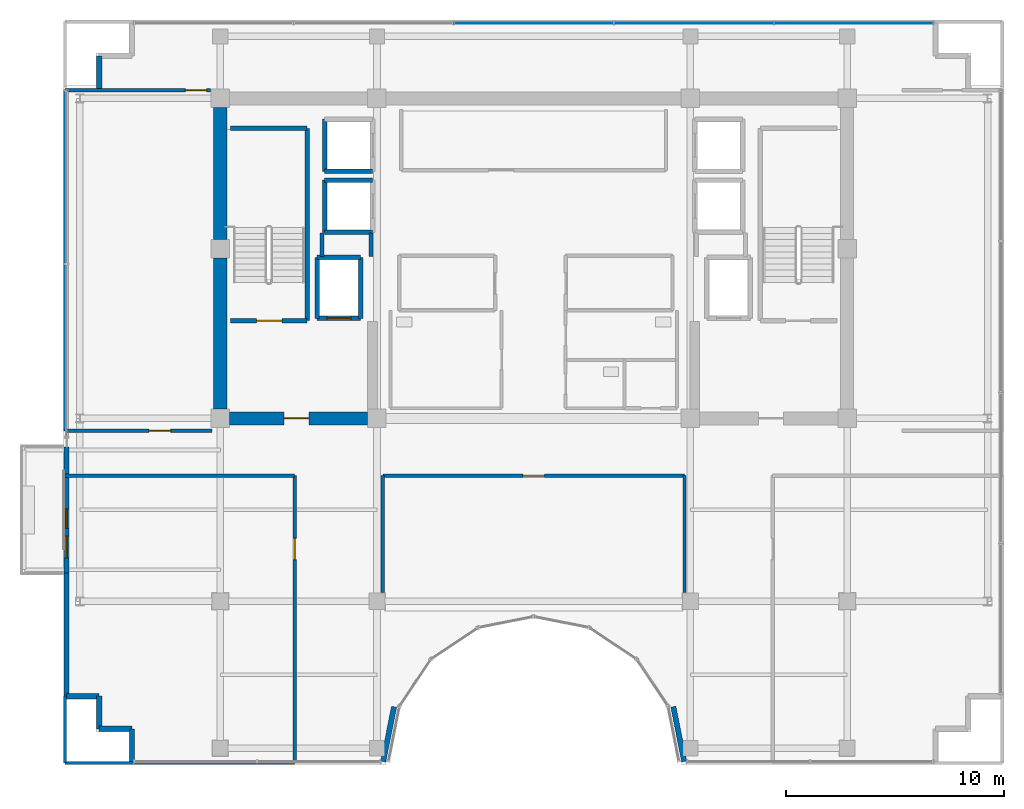
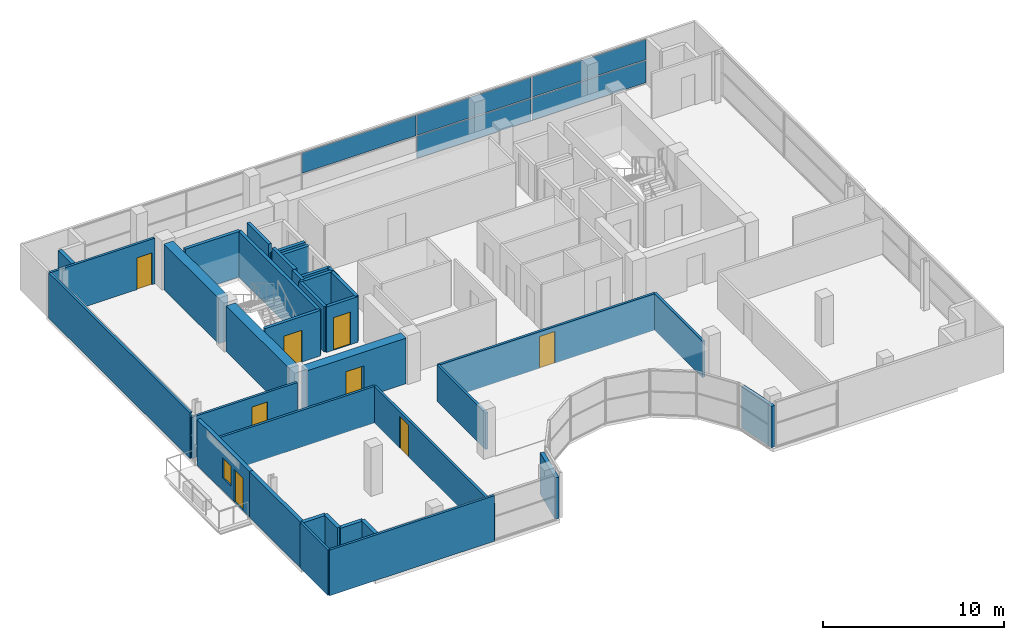
# One storey, part 22 of 28: 36 walls, 8 doors, 5 plates, 1 window, 9 openings, 1 element without a shape of its own.
"""IFC4 building model written with IfcOpenShell, lengths in metres."""

from ifc_helpers import new_model, si_unit, direction, frame, frame_2d, origin, origin_2d, place, context, subcontext, project, spatial, rectangle, extrude, source, transform, mapped, material, layer, layer_set, type_object, element, fill, aggregate, save


model = new_model("IFC4")

# Units and contexts
model_context = context("Model", 3, precision=1e-05, world=origin(), true_north=direction((0.0, 1.0)))
body_context = subcontext(model_context, "Body", "Model", "MODEL_VIEW")
ifc_project = project(units=[si_unit("LENGTHUNIT", "METRE"), si_unit("AREAUNIT", "SQUARE_METRE"), si_unit("VOLUMEUNIT", "CUBIC_METRE"), si_unit("PLANEANGLEUNIT", "RADIAN"), si_unit("MASSUNIT", "GRAM", prefix="KILO")], contexts=[model_context])

# Site, building, storey
site_placement = place(None, origin())
site = spatial("IfcSite", under=ifc_project, at=site_placement, CompositionType="ELEMENT")
building_placement = place(site_placement, origin())
building = spatial("IfcBuilding", under=site, at=building_placement, Name="Zarnakvel Exchange Tower", CompositionType="ELEMENT")
storey_placement = place(building_placement, frame((0.0, 0.0, 268.300048828125)))
storey = spatial("IfcBuildingStorey", under=building, at=storey_placement, Name="L76", CompositionType="ELEMENT", Elevation=268.300048828125)

# Curtain wall, plates
ifc_material_1 = material(Name="Architectural Bronze Anodised Aluminium", Category="aluminium")
ifc_layer_1 = layer(ifc_material_1, 0.159912109375)
ifc_layer_set_1 = layer_set([ifc_layer_1], Name="Architectural Bronze Anodised Aluminium")
curtain_wall_type = type_object("IfcCurtainWallType", Name="CW-06", PredefinedType="NOTDEFINED", material=ifc_layer_set_1)
curtain_wall_placement = place(storey_placement, origin())
curtain_wall = element("IfcCurtainWall", 1, at=curtain_wall_placement, inside=storey, type_object=curtain_wall_type, Name="L76 Curtain Wall CW-L76-N1 (CW-06)", PredefinedType="NOTDEFINED")
ifc_material_2 = material(Name="Double Low-E Laminated Vision Glass", Category="glass")
ifc_layer_2 = layer(ifc_material_2, 0.033935546875)
ifc_layer_set_2 = layer_set([ifc_layer_2], Name="Double Low-E Laminated Vision Glass")
plate_type = type_object("IfcPlateType", Name="CWP-06", PredefinedType="CURTAIN_PANEL", material=ifc_layer_set_2)
shared_shape_1 = source(origin(), body_context, "Body", "SweptSolid", [
    extrude(rectangle(XDim=7.262451171875, YDim=0.033935546875, at=origin_2d()), origin(), (0.0, 0.0, 1.0), 1.49365234375),
])
plate_1_placement = place(storey_placement, frame((14.703857421875, 16.9599609375, 0.06494140625), z_axis=(0.0, 0.0, 1.0), x_axis=(1.0, 0.0, 0.0)))
plate_1 = element("IfcPlate", 2, at=plate_1_placement, type_object=plate_type, Name="CW-06 panel 5.1", PredefinedType="CURTAIN_PANEL", context=body_context, shape_type="MappedRepresentation", body=[
    mapped(shared_shape_1, transform((0.0, 0.0, 0.0), x_axis=(1.0, 0.0, 0.0), y_axis=(0.0, 1.0, 0.0), z_axis=(0.0, 0.0, 1.0), scale=1.0)),
])
shared_shape_2 = source(origin(), body_context, "Body", "SweptSolid", [
    extrude(rectangle(XDim=7.262451171875, YDim=0.033935546875, at=origin_2d()), origin(), (0.0, 0.0, 1.0), 1.371337890625),
])
plate_2_placement = place(storey_placement, frame((14.703857421875, 16.9599609375, 1.62353515625), z_axis=(0.0, 0.0, 1.0), x_axis=(1.0, 0.0, 0.0)))
plate_2 = element("IfcPlate", 3, at=plate_2_placement, type_object=plate_type, Name="CW-06 panel 5.2", PredefinedType="CURTAIN_PANEL", context=body_context, shape_type="MappedRepresentation", body=[
    mapped(shared_shape_2, transform((0.0, 0.0, 0.0), x_axis=(1.0, 0.0, 0.0), y_axis=(0.0, 1.0, 0.0), z_axis=(0.0, 0.0, 1.0), scale=1.0)),
])
shared_shape_3 = source(origin(), body_context, "Body", "SweptSolid", [
    extrude(rectangle(XDim=7.294921875, YDim=0.033935546875, at=origin_2d()), origin(), (0.0, 0.0, 1.0), 1.49365234375),
])
plate_3_placement = place(storey_placement, frame((7.360107421875, 16.9599609375, 0.06494140625), z_axis=(0.0, 0.0, 1.0), x_axis=(1.0, 0.0, 0.0)))
plate_3 = element("IfcPlate", 4, at=plate_3_placement, type_object=plate_type, Name="CW-06 panel 4.1", PredefinedType="CURTAIN_PANEL", context=body_context, shape_type="MappedRepresentation", body=[
    mapped(shared_shape_3, transform((0.0, 0.0, 0.0), x_axis=(1.0, 0.0, 0.0), y_axis=(0.0, 1.0, 0.0), z_axis=(0.0, 0.0, 1.0), scale=1.0)),
])
shared_shape_4 = source(origin(), body_context, "Body", "SweptSolid", [
    extrude(rectangle(XDim=7.294921875, YDim=0.033935546875, at=origin_2d()), origin(), (0.0, 0.0, 1.0), 1.371337890625),
])
plate_4_placement = place(storey_placement, frame((0.0, 16.9599609375, 1.62353515625), z_axis=(0.0, 0.0, 1.0), x_axis=(1.0, 0.0, 0.0)))
plate_4 = element("IfcPlate", 5, at=plate_4_placement, type_object=plate_type, Name="CW-06 panel 3.2", PredefinedType="CURTAIN_PANEL", context=body_context, shape_type="MappedRepresentation", body=[
    mapped(shared_shape_4, transform((0.0, 0.0, 0.0), x_axis=(1.0, 0.0, 0.0), y_axis=(0.0, 1.0, 0.0), z_axis=(0.0, 0.0, 1.0), scale=1.0)),
])
plate_5_placement = place(storey_placement, frame((7.360107421875, 16.9599609375, 1.62353515625), z_axis=(0.0, 0.0, 1.0), x_axis=(1.0, 0.0, 0.0)))
plate_5 = element("IfcPlate", 6, at=plate_5_placement, type_object=plate_type, Name="CW-06 panel 4.2", PredefinedType="CURTAIN_PANEL", context=body_context, shape_type="MappedRepresentation", body=[
    mapped(shared_shape_4, transform((0.0, 0.0, 0.0), x_axis=(1.0, 0.0, 0.0), y_axis=(0.0, 1.0, 0.0), z_axis=(0.0, 0.0, 1.0), scale=1.0)),
])
aggregate(curtain_wall, [plate_4, plate_3, plate_5, plate_1, plate_2])

# Walls
ifc_material_3 = material(Name="Concrete C50/60", Category="concrete")
ifc_layer_3 = layer(ifc_material_3, 0.60009765625)
ifc_layer_set_3 = layer_set([ifc_layer_3], Name="Concrete C50/60")
wall_type_1 = type_object("IfcWallType", Name="CW-C5", PredefinedType="SHEAR", material=ifc_layer_set_3)
wall_1_placement = place(storey_placement, frame((-14.39990234375, -0.77490234375, 0.0), z_axis=(0.0, 0.0, 1.0), x_axis=(0.0, 1.0, 0.0)))
element("IfcWall", 7, at=wall_1_placement, inside=storey, type_object=wall_type_1, Name="L76 Rear Core Shear Wall W1 (CW-C5)", PredefinedType="SHEAR", context=body_context, shape_type="SweptSolid", body=[
    extrude(rectangle(XDim=6.949951171875, YDim=0.60009765625, at=frame_2d((3.47509765625, 0.0))), origin(), (0.0, 0.0, 1.0), 3.079833984375),
])
wall_2_placement = place(storey_placement, frame((-14.39990234375, 7.02490234375, 0.0), z_axis=(0.0, 0.0, 1.0), x_axis=(0.0, 1.0, 0.0)))
element("IfcWall", 8, at=wall_2_placement, inside=storey, type_object=wall_type_1, Name="L76 Rear Core Shear Wall W2 (CW-C5)", PredefinedType="SHEAR", context=body_context, shape_type="SweptSolid", body=[
    extrude(rectangle(XDim=6.050048828125, YDim=0.60009765625, at=frame_2d((3.02490234375, 0.0))), origin(), (0.0, 0.0, 1.0), 3.079833984375),
])

# Wall, opening, door
wall_3_placement = place(storey_placement, frame((-7.625, -1.199951171875, 0.0), z_axis=(0.0, 0.0, 1.0), x_axis=(-1.0, 0.0, 0.0)))
wall_3 = element("IfcWall", 9, at=wall_3_placement, inside=storey, type_object=wall_type_1, Name="L76 Rear Core Shear Wall SW (CW-C5)", PredefinedType="SHEAR", context=body_context, shape_type="SweptSolid", body=[
    extrude(rectangle(XDim=6.35009765625, YDim=0.60009765625, at=frame_2d((3.175048828125, 0.0))), origin(), (0.0, 0.0, 1.0), 3.079833984375),
])
opening_1_placement = place(wall_3_placement, frame((2.699951171875, 0.0, 0.0)))
opening_1 = element("IfcOpeningElement", 10, at=opening_1_placement, cuts=wall_3, Name="Opening D-L76-03", PredefinedType="OPENING", context=body_context, shape_type="SweptSolid", body=[
    extrude(rectangle(XDim=1.14990234375, YDim=2.14990234375, at=frame_2d((0.574951171875, 1.074951171875))), frame((0.0, 0.31005859375, 0.0), z_axis=(0.0, -1.0, 0.0), x_axis=(1.0, 0.0, 0.0)), (0.0, 0.0, 1.0), 0.6201171875),
])
ifc_material_4 = material(Name="Painted Galvanised Steel S355", Category="steel")
door_type_1 = type_object("IfcDoorType", Name="DT-04", OperationType="NOTDEFINED", PredefinedType="DOOR", material=ifc_material_4)
shared_shape_5 = source(origin(), body_context, "Body", "SweptSolid", [
    extrude(rectangle(XDim=1.14990234375, YDim=2.14990234375, at=frame_2d((0.574951171875, 1.074951171875))), frame((0.0, 0.02490234375, 0.0), z_axis=(0.0, -1.0, 0.0), x_axis=(1.0, 0.0, 0.0)), (0.0, 0.0, 1.0), 0.050048828125),
])
door_1_placement = place(opening_1_placement, origin())
door_1 = element("IfcDoor", 11, at=door_1_placement, inside=storey, type_object=door_type_1, Name="L76 Firefighting Lobby West Door D-L76-03", OperationType="SINGLE_SWING_RIGHT", OverallHeight=2.14990234375, OverallWidth=1.14990234375, PredefinedType="DOOR", context=body_context, shape_type="MappedRepresentation", body=[
    mapped(shared_shape_5, transform((0.0, 0.0, 0.0), x_axis=(1.0, 0.0, 0.0), y_axis=(0.0, 1.0, 0.0), z_axis=(0.0, 0.0, 1.0), scale=1.0)),
])
fill(opening_1, door_1)

# Wall, openings, door, window
ifc_material_5 = material(Name="Precast concrete C40/50", Category="concrete")
ifc_layer_4 = layer(ifc_material_5, 0.239990234375)
ifc_layer_set_4 = layer_set([ifc_layer_4], Name="Precast concrete C40/50")
wall_type_2 = type_object("IfcWallType", Name="EW-02", PredefinedType="SOLIDWALL", material=ifc_layer_set_4)
wall_4_placement = place(storey_placement, frame((-21.4599609375, -8.300048828125, 0.0), z_axis=(0.0, 0.0, 1.0), x_axis=(0.0, 1.0, 0.0)))
wall_4 = element("IfcWall", 12, at=wall_4_placement, inside=storey, type_object=wall_type_2, Name="L76 Exterior Precast Spandrel Wall EW-BAL-L76-W (EW-02)", PredefinedType="SOLIDWALL", context=body_context, shape_type="SweptSolid", body=[
    extrude(rectangle(XDim=5.800048828125, YDim=0.239990234375, at=frame_2d((2.89990234375, 0.0))), origin(), (0.0, 0.0, 1.0), 3.079833984375),
])
opening_2_placement = place(wall_4_placement, frame((0.696044921875, 0.0, 0.0)))
opening_2 = element("IfcOpeningElement", 13, at=opening_2_placement, cuts=wall_4, Name="Opening BD-L76-01", PredefinedType="OPENING", context=body_context, shape_type="SweptSolid", body=[
    extrude(rectangle(XDim=1.0, YDim=2.199951171875, at=frame_2d((0.5, 1.10009765625))), frame((0.0, 0.1298828125, 0.0), z_axis=(0.0, -1.0, 0.0), x_axis=(1.0, 0.0, 0.0)), (0.0, 0.0, 1.0), 0.260009765625),
])
opening_3_placement = place(wall_4_placement, frame((2.0458984375, 0.0, 0.85009765625)))
opening_3 = element("IfcOpeningElement", 14, at=opening_3_placement, cuts=wall_4, Name="Opening WN-06", PredefinedType="OPENING", context=body_context, shape_type="SweptSolid", body=[
    extrude(rectangle(XDim=0.89990234375, YDim=1.35009765625, at=frame_2d((0.449951171875, 0.675048828125))), frame((0.0, 0.1298828125, 0.0), z_axis=(0.0, -1.0, 0.0), x_axis=(1.0, 0.0, 0.0)), (0.0, 0.0, 1.0), 0.260009765625),
])
door_type_2 = type_object("IfcDoorType", Name="DT-09", OperationType="NOTDEFINED", PredefinedType="DOOR", material=ifc_material_1)
shared_shape_6 = source(origin(), body_context, "Body", "SweptSolid", [
    extrude(rectangle(XDim=1.0, YDim=2.199951171875, at=frame_2d((0.5, 1.10009765625))), frame((0.0, 0.02490234375, 0.0), z_axis=(0.0, -1.0, 0.0), x_axis=(1.0, 0.0, 0.0)), (0.0, 0.0, 1.0), 0.050048828125),
])
door_2_placement = place(opening_2_placement, origin())
door_2 = element("IfcDoor", 15, at=door_2_placement, inside=storey, type_object=door_type_2, Name="L76 Planted Loggia Balcony Door BD-L76-01", OperationType="SINGLE_SWING_RIGHT", OverallHeight=2.199951171875, OverallWidth=1.0, PredefinedType="DOOR", context=body_context, shape_type="MappedRepresentation", body=[
    mapped(shared_shape_6, transform((0.0, 0.0, 0.0), x_axis=(1.0, 0.0, 0.0), y_axis=(0.0, 1.0, 0.0), z_axis=(0.0, 0.0, 1.0), scale=1.0)),
])
fill(opening_2, door_2)
window_type = type_object("IfcWindowType", Name="WN-06", PartitioningType="SINGLE_PANEL", PredefinedType="WINDOW", material=ifc_material_2)
shared_shape_7 = source(origin(), body_context, "Body", "SweptSolid", [
    extrude(rectangle(XDim=0.89990234375, YDim=1.35009765625, at=frame_2d((0.449951171875, 0.675048828125))), frame((0.0, 0.030029296875, 0.0), z_axis=(0.0, -1.0, 0.0), x_axis=(1.0, 0.0, 0.0)), (0.0, 0.0, 1.0), 0.06005859375),
])
window_placement = place(opening_3_placement, origin())
window = element("IfcWindow", 16, at=window_placement, inside=storey, type_object=window_type, Name="L76 Loggia Daylight Window (WN-06)", OverallHeight=1.35009765625, OverallWidth=0.89990234375, PartitioningType="SINGLE_PANEL", PredefinedType="WINDOW", context=body_context, shape_type="MappedRepresentation", body=[
    mapped(shared_shape_7, transform((0.0, 0.0, 0.0), x_axis=(1.0, 0.0, 0.0), y_axis=(0.0, 1.0, 0.0), z_axis=(0.0, 0.0, 1.0), scale=1.0)),
])
fill(opening_3, window)

# Walls
wall_5_placement = place(storey_placement, frame((-21.4599609375, -8.300048828125, 0.0), z_axis=(0.0, 0.0, 1.0), x_axis=(0.0, -1.0, 0.0)))
element("IfcWall", 17, at=wall_5_placement, inside=storey, type_object=wall_type_2, Name="L76 Exterior Precast Spandrel Wall EWC-L76-01 (EW-02)", PredefinedType="SOLIDWALL", context=body_context, shape_type="SweptSolid", body=[
    extrude(rectangle(XDim=5.659912109375, YDim=0.239990234375, at=frame_2d((2.830078125, 0.0))), origin(), (0.0, 0.0, 1.0), 3.079833984375),
])
wall_6_placement = place(storey_placement, frame((-19.9599609375, 15.4599609375, 0.0), z_axis=(0.0, 0.0, 1.0), x_axis=(0.0, -1.0, 0.0)))
element("IfcWall", 18, at=wall_6_placement, inside=storey, type_object=wall_type_2, Name="L76 Exterior Precast Spandrel Wall EWC-L76-04 (EW-02)", PredefinedType="SOLIDWALL", context=body_context, shape_type="SweptSolid", body=[
    extrude(rectangle(XDim=1.5, YDim=0.239990234375, at=frame_2d((0.75, 0.0))), origin(), (0.0, 0.0, 1.0), 3.079833984375),
])
for number, where, z_axis, x_axis, name in (
    (19, (6.414306640625, -14.443115234375, 0.0), (0.0, 0.0, 1.0), (0.195036545742, -0.980795975637, 0.0), "L76 Exterior Precast Spandrel Wall EWC-L76-15 (EW-02)"),
    (20, (-6.914794921875, -16.9599609375, 0.0), (0.0, 0.0, 1.0), (0.195036545742, 0.980795975637, 0.0), "L76 Exterior Precast Spandrel Wall EWC-L76-16 (EW-02)"),
):
    element("IfcWall", number, at=place(storey_placement, frame(where, z_axis=z_axis, x_axis=x_axis)), inside=storey, type_object=wall_type_2, Name=name, PredefinedType="SOLIDWALL", context=body_context, shape_type="SweptSolid", body=[
        extrude(rectangle(XDim=2.566162109375, YDim=0.239990234375, at=frame_2d((1.283203125, 0.0))), origin(), (0.0, 0.0, 1.0), 2.7900390625),
    ])
for number, where, z_axis, x_axis, name in (
    (21, (-18.4599609375, -15.4599609375, 0.0), (0.0, 0.0, 1.0), (0.0, -1.0, 0.0), "L76 Exterior Precast Spandrel Wall EWC-L76-17 (EW-02)"),
    (22, (-19.9599609375, -15.4599609375, 0.0), (0.0, 0.0, 1.0), (1.0, 0.0, 0.0), "L76 Exterior Precast Spandrel Wall EWC-L76-18 (EW-02)"),
    (23, (-19.9599609375, -13.9599609375, 0.0), (0.0, 0.0, 1.0), (0.0, -1.0, 0.0), "L76 Exterior Precast Spandrel Wall EWC-L76-19 (EW-02)"),
    (24, (-21.4599609375, -13.9599609375, 0.0), (0.0, 0.0, 1.0), (1.0, 0.0, 0.0), "L76 Exterior Precast Spandrel Wall EWC-L76-20 (EW-02)"),
):
    element("IfcWall", number, at=place(storey_placement, frame(where, z_axis=z_axis, x_axis=x_axis)), inside=storey, type_object=wall_type_2, Name=name, PredefinedType="SOLIDWALL", context=body_context, shape_type="SweptSolid", body=[
        extrude(rectangle(XDim=1.5, YDim=0.239990234375, at=frame_2d((0.75, 0.0))), origin(), (0.0, 0.0, 1.0), 3.079833984375),
    ])
ifc_material_6 = material(Name="Fire-Rated Gypsum Stud Partition", Category="gypsum")
ifc_layer_5 = layer(ifc_material_6, 0.14990234375)
ifc_layer_set_5 = layer_set([ifc_layer_5], Name="Fire-Rated Gypsum Stud Partition")
wall_type_3 = type_object("IfcWallType", Name="PT-01", PredefinedType="PARTITIONING", material=ifc_layer_set_5)
wall_7_placement = place(storey_placement, frame((-10.97998046875, -17.030029296875, 0.0), z_axis=(0.0, 0.0, 1.0), x_axis=(-1.0, 0.0, 0.0)))
element("IfcWall", 25, at=wall_7_placement, inside=storey, type_object=wall_type_3, Name="L76 Partition Wall PWALL-L76-033 (PT-01)", PredefinedType="PARTITIONING", context=body_context, shape_type="SweptSolid", body=[
    extrude(rectangle(XDim=10.550048828125, YDim=0.14990234375, at=frame_2d((5.27490234375, 0.0))), origin(), (0.0, 0.0, 1.0), 3.079833984375),
])
wall_8_placement = place(storey_placement, frame((-21.530029296875, -3.830078125, 0.0), z_axis=(0.0, 0.0, 1.0), x_axis=(1.0, 0.0, 0.0)))
element("IfcWall", 26, at=wall_8_placement, inside=storey, type_object=wall_type_3, Name="L76 Partition Wall PWALL-L76-034 (PT-01)", PredefinedType="PARTITIONING", context=body_context, shape_type="SweptSolid", body=[
    extrude(rectangle(XDim=10.550048828125, YDim=0.14990234375, at=frame_2d((5.27490234375, 0.0))), origin(), (0.0, 0.0, 1.0), 2.469970703125),
])
wall_9_placement = place(storey_placement, frame((-21.530029296875, -17.030029296875, 0.0), z_axis=(0.0, 0.0, 1.0), x_axis=(0.0, 1.0, 0.0)))
element("IfcWall", 27, at=wall_9_placement, inside=storey, type_object=wall_type_3, Name="L76 Partition Wall PWALL-L76-035 (PT-01)", PredefinedType="PARTITIONING", context=body_context, shape_type="SweptSolid", body=[
    extrude(rectangle(XDim=3.070068359375, YDim=0.14990234375, at=frame_2d((1.53515625, 0.0))), origin(), (0.0, 0.0, 1.0), 3.079833984375),
])

# Wall, opening, door
wall_10_placement = place(storey_placement, frame((-10.97998046875, -3.830078125, 0.0), z_axis=(0.0, 0.0, 1.0), x_axis=(0.0, -1.0, 0.0)))
wall_10 = element("IfcWall", 28, at=wall_10_placement, inside=storey, type_object=wall_type_3, Name="L76 Partition Wall PWALL-L76-036 (PT-01)", PredefinedType="PARTITIONING", context=body_context, shape_type="SweptSolid", body=[
    extrude(rectangle(XDim=13.199951171875, YDim=0.14990234375, at=frame_2d((6.60009765625, 0.0))), origin(), (0.0, 0.0, 1.0), 2.469970703125),
])
opening_4_placement = place(wall_10_placement, frame((2.8798828125, 0.0, 0.0)))
opening_4 = element("IfcOpeningElement", 29, at=opening_4_placement, cuts=wall_10, Name="Opening D-L76-12", PredefinedType="OPENING", context=body_context, shape_type="SweptSolid", body=[
    extrude(rectangle(XDim=0.97998046875, YDim=2.14990234375, at=frame_2d((0.489990234375, 1.074951171875))), frame((0.0, 0.0849609375, 0.0), z_axis=(0.0, -1.0, 0.0), x_axis=(1.0, 0.0, 0.0)), (0.0, 0.0, 1.0), 0.169921875),
])
ifc_material_7 = material(Name="Timber Acoustic Veneer", Category="wood")
door_type_3 = type_object("IfcDoorType", Name="DT-05", OperationType="NOTDEFINED", PredefinedType="DOOR", material=ifc_material_7)
shared_shape_8 = source(origin(), body_context, "Body", "SweptSolid", [
    extrude(rectangle(XDim=0.97998046875, YDim=2.14990234375, at=frame_2d((0.489990234375, 1.074951171875))), frame((0.0, 0.02490234375, 0.0), z_axis=(0.0, -1.0, 0.0), x_axis=(1.0, 0.0, 0.0)), (0.0, 0.0, 1.0), 0.050048828125),
])
door_3_placement = place(opening_4_placement, origin())
door_3 = element("IfcDoor", 30, at=door_3_placement, inside=storey, type_object=door_type_3, Name="L76 Commodities Dealing Room Door D-L76-12", OperationType="SINGLE_SWING_LEFT", OverallHeight=2.14990234375, OverallWidth=0.97998046875, PredefinedType="DOOR", context=body_context, shape_type="MappedRepresentation", body=[
    mapped(shared_shape_8, transform((0.0, 0.0, 0.0), x_axis=(1.0, 0.0, 0.0), y_axis=(0.0, 1.0, 0.0), z_axis=(0.0, 0.0, 1.0), scale=1.0)),
])
fill(opening_4, door_3)

wall_11_placement = place(storey_placement, frame((-6.929931640625, -3.830078125, 0.0), z_axis=(0.0, 0.0, 1.0), x_axis=(1.0, 0.0, 0.0)))
wall_11 = element("IfcWall", 31, at=wall_11_placement, inside=storey, type_object=wall_type_3, Name="L76 Partition Wall PWALL-L76-041 (PT-01)", PredefinedType="PARTITIONING", context=body_context, shape_type="SweptSolid", body=[
    extrude(rectangle(XDim=13.85986328125, YDim=0.14990234375, at=frame_2d((6.929931640625, 0.0))), origin(), (0.0, 0.0, 1.0), 2.469970703125),
])
opening_5_placement = place(wall_11_placement, frame((6.43994140625, 0.0, 0.0)))
opening_5 = element("IfcOpeningElement", 32, at=opening_5_placement, cuts=wall_11, Name="Opening D-L76-14", PredefinedType="OPENING", context=body_context, shape_type="SweptSolid", body=[
    extrude(rectangle(XDim=0.97998046875, YDim=2.14990234375, at=frame_2d((0.489990234375, 1.074951171875))), frame((0.0, 0.0849609375, 0.0), z_axis=(0.0, -1.0, 0.0), x_axis=(1.0, 0.0, 0.0)), (0.0, 0.0, 1.0), 0.169921875),
])
door_4_placement = place(opening_5_placement, origin())
door_4 = element("IfcDoor", 33, at=door_4_placement, inside=storey, type_object=door_type_3, Name="L76 Breakout Lounge Door D-L76-14", OperationType="SINGLE_SWING_LEFT", OverallHeight=2.14990234375, OverallWidth=0.97998046875, PredefinedType="DOOR", context=body_context, shape_type="MappedRepresentation", body=[
    mapped(shared_shape_8, transform((0.0, 0.0, 0.0), x_axis=(1.0, 0.0, 0.0), y_axis=(0.0, 1.0, 0.0), z_axis=(0.0, 0.0, 1.0), scale=1.0)),
])
fill(opening_5, door_4)

# Walls
for number, where, z_axis, x_axis, name in (
    (34, (-6.929931640625, -9.205078125, 0.0), (0.0, 0.0, 1.0), (0.0, 1.0, 0.0), "L76 Partition Wall PWALL-L76-042 (PT-01)"),
    (35, (6.929931640625, -3.830078125, 0.0), (0.0, 0.0, 1.0), (0.0, -1.0, 0.0), "L76 Partition Wall PWALL-L76-043 (PT-01)"),
):
    element("IfcWall", number, at=place(storey_placement, frame(where, z_axis=z_axis, x_axis=x_axis)), inside=storey, type_object=wall_type_3, Name=name, PredefinedType="PARTITIONING", context=body_context, shape_type="SweptSolid", body=[
        extrude(rectangle(XDim=5.375, YDim=0.14990234375, at=frame_2d((2.6875, 0.0))), origin(), (0.0, 0.0, 1.0), 2.469970703125),
    ])

# Wall, opening, door
wall_12_placement = place(storey_placement, frame((-14.77001953125, -1.77001953125, 0.0), z_axis=(0.0, 0.0, 1.0), x_axis=(-1.0, 0.0, 0.0)))
wall_12 = element("IfcWall", 36, at=wall_12_placement, inside=storey, type_object=wall_type_3, Name="L76 Partition Wall PWALL-L76-044 (PT-01)", PredefinedType="PARTITIONING", context=body_context, shape_type="SweptSolid", body=[
    extrude(rectangle(XDim=6.760009765625, YDim=0.14990234375, at=frame_2d((3.3798828125, 0.0))), origin(), (0.0, 0.0, 1.0), 2.7900390625),
])
opening_6_placement = place(wall_12_placement, frame((1.9150390625, 0.0, 0.0)))
opening_6 = element("IfcOpeningElement", 37, at=opening_6_placement, cuts=wall_12, Name="Opening D-L76-15", PredefinedType="OPENING", context=body_context, shape_type="SweptSolid", body=[
    extrude(rectangle(XDim=0.97998046875, YDim=2.14990234375, at=frame_2d((0.489990234375, 1.074951171875))), frame((0.0, 0.0849609375, 0.0), z_axis=(0.0, -1.0, 0.0), x_axis=(1.0, 0.0, 0.0)), (0.0, 0.0, 1.0), 0.169921875),
])
door_5_placement = place(opening_6_placement, origin())
door_5 = element("IfcDoor", 38, at=door_5_placement, inside=storey, type_object=door_type_3, Name="L76 Boardroom Door D-L76-15", OperationType="SINGLE_SWING_RIGHT", OverallHeight=2.14990234375, OverallWidth=0.97998046875, PredefinedType="DOOR", context=body_context, shape_type="MappedRepresentation", body=[
    mapped(shared_shape_8, transform((0.0, 0.0, 0.0), x_axis=(1.0, 0.0, 0.0), y_axis=(0.0, 1.0, 0.0), z_axis=(0.0, 0.0, 1.0), scale=1.0)),
])
fill(opening_6, door_5)

wall_13_placement = place(storey_placement, frame((-21.530029296875, 13.8798828125, 0.0), z_axis=(0.0, 0.0, 1.0), x_axis=(1.0, 0.0, 0.0)))
wall_13 = element("IfcWall", 39, at=wall_13_placement, inside=storey, type_object=wall_type_3, Name="L76 Partition Wall PWALL-L76-045 (PT-01)", PredefinedType="PARTITIONING", context=body_context, shape_type="SweptSolid", body=[
    extrude(rectangle(XDim=6.68505859375, YDim=0.14990234375, at=frame_2d((3.342529296875, 0.0))), origin(), (0.0, 0.0, 1.0), 3.079833984375),
])
opening_7_placement = place(wall_13_placement, frame((5.52490234375, 0.0, 0.0)))
opening_7 = element("IfcOpeningElement", 40, at=opening_7_placement, cuts=wall_13, Name="Opening D-L76-16", PredefinedType="OPENING", context=body_context, shape_type="SweptSolid", body=[
    extrude(rectangle(XDim=0.97998046875, YDim=2.14990234375, at=frame_2d((0.489990234375, 1.074951171875))), frame((0.0, 0.0849609375, 0.0), z_axis=(0.0, -1.0, 0.0), x_axis=(1.0, 0.0, 0.0)), (0.0, 0.0, 1.0), 0.169921875),
])
door_6_placement = place(opening_7_placement, origin())
door_6 = element("IfcDoor", 41, at=door_6_placement, inside=storey, type_object=door_type_3, Name="L76 Fintech Workspace Door D-L76-16", OperationType="SINGLE_SWING_LEFT", OverallHeight=2.14990234375, OverallWidth=0.97998046875, PredefinedType="DOOR", context=body_context, shape_type="MappedRepresentation", body=[
    mapped(shared_shape_8, transform((0.0, 0.0, 0.0), x_axis=(1.0, 0.0, 0.0), y_axis=(0.0, 1.0, 0.0), z_axis=(0.0, 0.0, 1.0), scale=1.0)),
])
fill(opening_7, door_6)

# Walls
wall_14_placement = place(storey_placement, frame((-21.530029296875, -1.77001953125, 0.0), z_axis=(0.0, 0.0, 1.0), x_axis=(0.0, 1.0, 0.0)))
element("IfcWall", 42, at=wall_14_placement, inside=storey, type_object=wall_type_3, Name="L76 Partition Wall PWALL-L76-046 (PT-01)", PredefinedType="PARTITIONING", context=body_context, shape_type="SweptSolid", body=[
    extrude(rectangle(XDim=15.64990234375, YDim=0.14990234375, at=frame_2d((7.824951171875, 0.0))), origin(), (0.0, 0.0, 1.0), 3.079833984375),
])
ifc_layer_6 = layer(ifc_material_6, 0.179931640625)
ifc_layer_set_6 = layer_set([ifc_layer_6], Name="Fire-Rated Gypsum Stud Partition")
wall_type_4 = type_object("IfcWallType", Name="PT-02", PredefinedType="PARTITIONING", material=ifc_layer_set_6)
wall_15_placement = place(storey_placement, frame((-9.72998046875, 6.239990234375, 0.0), z_axis=(0.0, 0.0, 1.0), x_axis=(0.0, 1.0, 0.0)))
element("IfcWall", 43, at=wall_15_placement, inside=storey, type_object=wall_type_4, Name="L76 Partition Wall PWALL-L76-007 (PT-02)", PredefinedType="PARTITIONING", context=body_context, shape_type="SweptSolid", body=[
    extrude(rectangle(XDim=1.090087890625, YDim=0.179931640625, at=frame_2d((0.544921875, 0.0))), origin(), (0.0, 0.0, 1.0), 3.079833984375),
])
wall_16_placement = place(storey_placement, frame((-7.469970703125, 7.330078125, 0.0), z_axis=(0.0, 0.0, 1.0), x_axis=(0.0, -1.0, 0.0)))
element("IfcWall", 44, at=wall_16_placement, inside=storey, type_object=wall_type_4, Name="L76 Partition Wall PWALL-L76-008 (PT-02)", PredefinedType="PARTITIONING", context=body_context, shape_type="SweptSolid", body=[
    extrude(rectangle(XDim=1.090087890625, YDim=0.179931640625, at=frame_2d((0.544921875, 0.0))), origin(), (0.0, 0.0, 1.0), 2.469970703125),
])

# Wall, opening, door
ifc_material_8 = material(Name="Concrete C40/50", Category="concrete")
ifc_layer_7 = layer(ifc_material_8, 0.199951171875)
ifc_layer_set_7 = layer_set([ifc_layer_7], Name="Concrete C40/50")
wall_type_5 = type_object("IfcWallType", Name="SW-01", PredefinedType="SOLIDWALL", material=ifc_layer_set_7)
wall_17_placement = place(storey_placement, frame((-7.949951171875, 3.39990234375, 0.0), z_axis=(0.0, 0.0, 1.0), x_axis=(-1.0, 0.0, 0.0)))
wall_17 = element("IfcWall", 45, at=wall_17_placement, inside=storey, type_object=wall_type_5, Name="L76 FL-01 Hoistway Wall South", PredefinedType="SOLIDWALL", context=body_context, shape_type="SweptSolid", body=[
    extrude(rectangle(XDim=2.0, YDim=0.199951171875, at=frame_2d((1.0, 0.0))), origin(), (0.0, 0.0, 1.0), 3.079833984375),
])
opening_8_placement = place(wall_17_placement, frame((0.449951171875, 0.0, 0.0)))
opening_8 = element("IfcOpeningElement", 46, at=opening_8_placement, cuts=wall_17, Name="Opening LD-FL-01-L76", PredefinedType="OPENING", context=body_context, shape_type="SweptSolid", body=[
    extrude(rectangle(XDim=1.10009765625, YDim=2.199951171875, at=frame_2d((0.550048828125, 1.10009765625))), frame((0.0, 0.10986328125, 0.0), z_axis=(0.0, -1.0, 0.0), x_axis=(1.0, 0.0, 0.0)), (0.0, 0.0, 1.0), 0.219970703125),
])
ifc_material_9 = material(Name="Brushed Stainless Steel", Category="steel")
door_type_4 = type_object("IfcDoorType", Name="LDT-01", OperationType="NOTDEFINED", PredefinedType="DOOR", material=ifc_material_9)
shared_shape_9 = source(origin(), body_context, "Body", "SweptSolid", [
    extrude(rectangle(XDim=1.10009765625, YDim=2.199951171875, at=frame_2d((0.550048828125, 1.10009765625))), frame((0.0, 0.02490234375, 0.0), z_axis=(0.0, -1.0, 0.0), x_axis=(1.0, 0.0, 0.0)), (0.0, 0.0, 1.0), 0.050048828125),
])
door_7_placement = place(opening_8_placement, origin())
door_7 = element("IfcDoor", 47, at=door_7_placement, inside=storey, type_object=door_type_4, Name="L76 FL-01 Lift Landing Door LD-FL-01-L76", OperationType="DOUBLE_DOOR_SLIDING", OverallHeight=2.199951171875, OverallWidth=1.10009765625, PredefinedType="DOOR", context=body_context, shape_type="MappedRepresentation", body=[
    mapped(shared_shape_9, transform((0.0, 0.0, 0.0), x_axis=(1.0, 0.0, 0.0), y_axis=(0.0, 1.0, 0.0), z_axis=(0.0, 0.0, 1.0), scale=1.0)),
])
fill(opening_8, door_7)

# Walls
wall_18_placement = place(storey_placement, frame((-9.949951171875, 6.199951171875, 0.0), z_axis=(0.0, 0.0, 1.0), x_axis=(1.0, 0.0, 0.0)))
element("IfcWall", 48, at=wall_18_placement, inside=storey, type_object=wall_type_5, Name="L76 FL-01 Hoistway Wall North", PredefinedType="SOLIDWALL", context=body_context, shape_type="SweptSolid", body=[
    extrude(rectangle(XDim=2.0, YDim=0.199951171875, at=frame_2d((1.0, 0.0))), origin(), (0.0, 0.0, 1.0), 3.079833984375),
])
for number, where, z_axis, x_axis, name in (
    (49, (-9.949951171875, 3.39990234375, 0.0), (0.0, 0.0, 1.0), (0.0, 1.0, 0.0), "L76 FL-01 Hoistway Wall West"),
    (50, (-7.949951171875, 6.199951171875, 0.0), (0.0, 0.0, 1.0), (0.0, -1.0, 0.0), "L76 FL-01 Hoistway Wall East"),
):
    element("IfcWall", number, at=place(storey_placement, frame(where, z_axis=z_axis, x_axis=x_axis)), inside=storey, type_object=wall_type_5, Name=name, PredefinedType="SOLIDWALL", context=body_context, shape_type="SweptSolid", body=[
        extrude(rectangle(XDim=2.800048828125, YDim=0.199951171875, at=frame_2d((1.39990234375, 0.0))), origin(), (0.0, 0.0, 1.0), 3.079833984375),
    ])
for number, where, z_axis, x_axis, name in (
    (51, (-7.39990234375, 7.35009765625, 0.0), (0.0, 0.0, 1.0), (-1.0, 0.0, 0.0), "L76 PL-09 Hoistway Wall South"),
    (52, (-9.60009765625, 9.75, 0.0), (0.0, 0.0, 1.0), (1.0, 0.0, 0.0), "L76 PL-09 Hoistway Wall North"),
):
    element("IfcWall", number, at=place(storey_placement, frame(where, z_axis=z_axis, x_axis=x_axis)), inside=storey, type_object=wall_type_5, Name=name, PredefinedType="SOLIDWALL", context=body_context, shape_type="SweptSolid", body=[
        extrude(rectangle(XDim=2.2001953125, YDim=0.199951171875, at=frame_2d((1.10009765625, 0.0))), origin(), (0.0, 0.0, 1.0), 2.469970703125),
    ])
wall_19_placement = place(storey_placement, frame((-9.60009765625, 7.35009765625, 0.0), z_axis=(0.0, 0.0, 1.0), x_axis=(0.0, 1.0, 0.0)))
element("IfcWall", 53, at=wall_19_placement, inside=storey, type_object=wall_type_5, Name="L76 PL-09 Hoistway Wall West", PredefinedType="SOLIDWALL", context=body_context, shape_type="SweptSolid", body=[
    extrude(rectangle(XDim=2.39990234375, YDim=0.199951171875, at=frame_2d((1.199951171875, 0.0))), origin(), (0.0, 0.0, 1.0), 3.079833984375),
])
wall_20_placement = place(storey_placement, frame((-7.39990234375, 10.14990234375, 0.0), z_axis=(0.0, 0.0, 1.0), x_axis=(-1.0, 0.0, 0.0)))
element("IfcWall", 54, at=wall_20_placement, inside=storey, type_object=wall_type_5, Name="L76 PL-10 Hoistway Wall South", PredefinedType="SOLIDWALL", context=body_context, shape_type="SweptSolid", body=[
    extrude(rectangle(XDim=2.2001953125, YDim=0.199951171875, at=frame_2d((1.10009765625, 0.0))), origin(), (0.0, 0.0, 1.0), 2.469970703125),
])
wall_21_placement = place(storey_placement, frame((-9.60009765625, 10.14990234375, 0.0), z_axis=(0.0, 0.0, 1.0), x_axis=(0.0, 1.0, 0.0)))
element("IfcWall", 55, at=wall_21_placement, inside=storey, type_object=wall_type_5, Name="L76 PL-10 Hoistway Wall West", PredefinedType="SOLIDWALL", context=body_context, shape_type="SweptSolid", body=[
    extrude(rectangle(XDim=2.400146484375, YDim=0.199951171875, at=frame_2d((1.2001953125, 0.0))), origin(), (0.0, 0.0, 1.0), 3.079833984375),
])

# Wall, opening, door
ifc_layer_8 = layer(ifc_material_8, 0.199951171875)
ifc_layer_set_8 = layer_set([ifc_layer_8], Name="Concrete C40/50")
wall_type_6 = type_object("IfcWallType", Name="SW-02", PredefinedType="SOLIDWALL", material=ifc_layer_set_8)
wall_22_placement = place(storey_placement, frame((-10.409912109375, 3.2900390625, 0.0), z_axis=(0.0, 0.0, 1.0), x_axis=(-1.0, 0.0, 0.0)))
wall_22 = element("IfcWall", 56, at=wall_22_placement, inside=storey, type_object=wall_type_6, Name="L76 Stairwell Core Wall PWALL-L76-001 (SW-02)", PredefinedType="SOLIDWALL", context=body_context, shape_type="SweptSolid", body=[
    extrude(rectangle(XDim=3.52001953125, YDim=0.199951171875, at=frame_2d((1.760009765625, 0.0))), origin(), (0.0, 0.0, 1.0), 3.079833984375),
])
opening_9_placement = place(wall_22_placement, frame((1.1650390625, 0.0, 0.0)))
opening_9 = element("IfcOpeningElement", 57, at=opening_9_placement, cuts=wall_22, Name="Opening D-L76-01", PredefinedType="OPENING", context=body_context, shape_type="SweptSolid", body=[
    extrude(rectangle(XDim=1.14990234375, YDim=2.14990234375, at=frame_2d((0.574951171875, 1.074951171875))), frame((0.0, 0.10986328125, 0.0), z_axis=(0.0, -1.0, 0.0), x_axis=(1.0, 0.0, 0.0)), (0.0, 0.0, 1.0), 0.219970703125),
])
door_8_placement = place(opening_9_placement, origin())
door_8 = element("IfcDoor", 58, at=door_8_placement, inside=storey, type_object=door_type_1, Name="L76 Stairwell ST-01 Door D-L76-01", OperationType="SINGLE_SWING_RIGHT", OverallHeight=2.14990234375, OverallWidth=1.14990234375, PredefinedType="DOOR", context=body_context, shape_type="MappedRepresentation", body=[
    mapped(shared_shape_5, transform((0.0, 0.0, 0.0), x_axis=(1.0, 0.0, 0.0), y_axis=(0.0, 1.0, 0.0), z_axis=(0.0, 0.0, 1.0), scale=1.0)),
])
fill(opening_9, door_8)

# Walls
wall_23_placement = place(storey_placement, frame((-13.929931640625, 12.1298828125, 0.0), z_axis=(0.0, 0.0, 1.0), x_axis=(1.0, 0.0, 0.0)))
element("IfcWall", 59, at=wall_23_placement, inside=storey, type_object=wall_type_6, Name="L76 Stairwell Core Wall PWALL-L76-002 (SW-02)", PredefinedType="SOLIDWALL", context=body_context, shape_type="SweptSolid", body=[
    extrude(rectangle(XDim=3.52001953125, YDim=0.199951171875, at=frame_2d((1.760009765625, 0.0))), origin(), (0.0, 0.0, 1.0), 3.079833984375),
])
wall_24_placement = place(storey_placement, frame((-10.409912109375, 12.1298828125, 0.0), z_axis=(0.0, 0.0, 1.0), x_axis=(0.0, -1.0, 0.0)))
element("IfcWall", 60, at=wall_24_placement, inside=storey, type_object=wall_type_6, Name="L76 Stairwell Core Wall PWALL-L76-003 (SW-02)", PredefinedType="SOLIDWALL", context=body_context, shape_type="SweptSolid", body=[
    extrude(rectangle(XDim=8.83984375, YDim=0.199951171875, at=frame_2d((4.419921875, 0.0))), origin(), (0.0, 0.0, 1.0), 3.079833984375),
])

save(model, "model.ifc")
